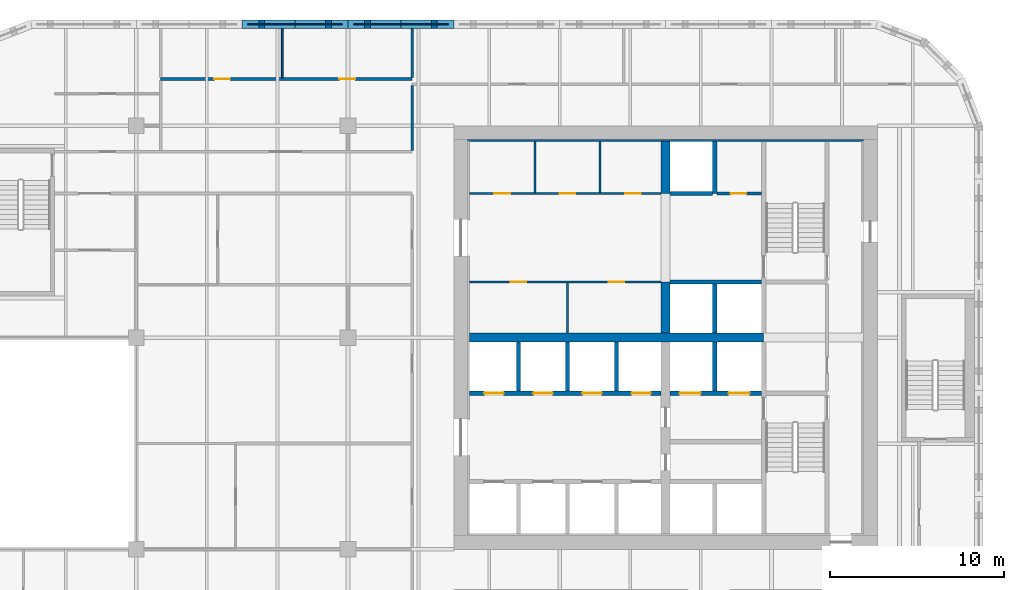
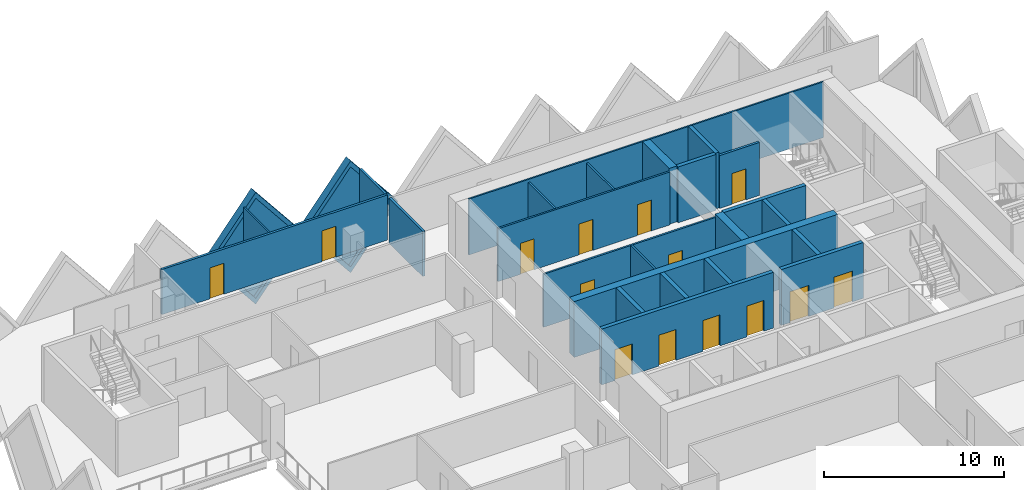
# One storey, part 9 of 19: 26 walls, 14 doors, 2 plates, 16 openings.
"""IFC4 building model written with IfcOpenShell, lengths in metres."""

from ifc_helpers import new_model, si_unit, direction, frame, frame_2d, origin, place, context, subcontext, project, spatial, polyline, rectangle, outline, extrude, faceted_brep, source, transform, mapped, material, layer, layer_set, type_object, element, fill, save


model = new_model("IFC4")

# Units and contexts
model_context = context("Model", 3, precision=1e-05, world=origin(), true_north=direction((0.0, 1.0)))
body_context = subcontext(model_context, "Body", "Model", "MODEL_VIEW")
ifc_project = project(units=[si_unit("LENGTHUNIT", "METRE"), si_unit("AREAUNIT", "SQUARE_METRE"), si_unit("VOLUMEUNIT", "CUBIC_METRE"), si_unit("PLANEANGLEUNIT", "RADIAN"), si_unit("MASSUNIT", "GRAM", prefix="KILO")], contexts=[model_context])

# Site, building, storey
site_placement = place(None, origin())
site = spatial("IfcSite", under=ifc_project, at=site_placement, CompositionType="ELEMENT")
building_placement = place(site_placement, origin())
building = spatial("IfcBuilding", under=site, at=building_placement, Name="Tessera Gate Towers", CompositionType="ELEMENT")
storey_placement = place(building_placement, frame((0.0, 0.0, 87.60009765625)))
storey = spatial("IfcBuildingStorey", under=building, at=storey_placement, Name="L21", CompositionType="ELEMENT", Elevation=87.60009765625)

# Wall, openings, doors
ifc_material_1 = material(Name="Concrete C40/50", Category="concrete")
ifc_layer_1 = layer(ifc_material_1, 0.25)
ifc_layer_set_1 = layer_set([ifc_layer_1], Name="CORE ENCLOSURE WALL 250")
wall_type_1 = type_object("IfcWallType", Name="CORE ENCLOSURE WALL 250", PredefinedType="SOLIDWALL", material=ifc_layer_set_1)
wall_1_placement = place(storey_placement, frame((42.449951171875, 33.39990234375, 0.0), z_axis=(0.0, 0.0, 1.0), x_axis=(-1.0, 0.0, 0.0)))
wall_1 = element("IfcWall", 1, at=wall_1_placement, inside=storey, type_object=wall_type_1, Name="L21 shaft and stair enclosure wall", PredefinedType="SOLIDWALL", context=body_context, shape_type="SweptSolid", body=[
    extrude(rectangle(XDim=11.050048828125, YDim=0.25, at=frame_2d((5.52490234375, 0.0))), origin(), (0.0, 0.0, 1.0), 3.7998046875),
])
shared_shape_1 = source(origin(), body_context, "Body", "SweptSolid", [
    extrude(rectangle(XDim=1.10009765625, YDim=2.10009765625, at=frame_2d((0.550048828125, 1.050048828125))), frame((0.0, 0.135009765625, 0.0), z_axis=(0.0, -1.0, 0.0), x_axis=(1.0, 0.0, 0.0)), (0.0, 0.0, 1.0), 0.27001953125),
])
opening_1_placement = place(wall_1_placement, frame((9.08740234375, 0.0, 0.0)))
opening_1 = element("IfcOpeningElement", 2, at=opening_1_placement, cuts=wall_1, Name="Opening LD-LR5", PredefinedType="OPENING", context=body_context, shape_type="MappedRepresentation", body=[
    mapped(shared_shape_1, transform((0.0, 0.0, 0.0), scale=1.0)),
])
opening_2_placement = place(wall_1_placement, frame((6.262451171875, 0.0, 0.0)))
opening_2 = element("IfcOpeningElement", 3, at=opening_2_placement, cuts=wall_1, Name="Opening LD-LR6", PredefinedType="OPENING", context=body_context, shape_type="MappedRepresentation", body=[
    mapped(shared_shape_1, transform((0.0, 0.0, 0.0), scale=1.0)),
])
opening_3_placement = place(wall_1_placement, frame((3.4375, 0.0, 0.0)))
opening_3 = element("IfcOpeningElement", 4, at=opening_3_placement, cuts=wall_1, Name="Opening LD-LR7", PredefinedType="OPENING", context=body_context, shape_type="MappedRepresentation", body=[
    mapped(shared_shape_1, transform((0.0, 0.0, 0.0), scale=1.0)),
])
opening_4_placement = place(wall_1_placement, frame((0.612548828125, 0.0, 0.0)))
opening_4 = element("IfcOpeningElement", 5, at=opening_4_placement, cuts=wall_1, Name="Opening LD-LR8", PredefinedType="OPENING", context=body_context, shape_type="MappedRepresentation", body=[
    mapped(shared_shape_1, transform((0.0, 0.0, 0.0), scale=1.0)),
])
ifc_material_2 = material(Name="Stainless steel", Category="steel")
door_type_1 = type_object("IfcDoorType", Name="CORE DOOR LD 1100x2100", OperationType="DOUBLE_DOOR_SLIDING", PredefinedType="DOOR", material=ifc_material_2)
shared_shape_2 = source(origin(), body_context, "Body", "SweptSolid", [
    extrude(rectangle(XDim=1.10009765625, YDim=2.10009765625, at=frame_2d((0.550048828125, 1.050048828125))), frame((0.0, 0.02490234375, 0.0), z_axis=(0.0, -1.0, 0.0), x_axis=(1.0, 0.0, 0.0)), (0.0, 0.0, 1.0), 0.050048828125),
])
door_1_placement = place(opening_1_placement, origin())
door_1 = element("IfcDoor", 6, at=door_1_placement, inside=storey, type_object=door_type_1, Name="Landing door LR5 L21", OperationType="DOUBLE_DOOR_SLIDING", OverallHeight=2.10009765625, OverallWidth=1.10009765625, PredefinedType="DOOR", context=body_context, shape_type="MappedRepresentation", body=[
    mapped(shared_shape_2, transform((0.0, 0.0, 0.0), scale=1.0)),
])
fill(opening_1, door_1)
door_2_placement = place(opening_2_placement, origin())
door_2 = element("IfcDoor", 7, at=door_2_placement, inside=storey, type_object=door_type_1, Name="Landing door LR6 L21", OperationType="DOUBLE_DOOR_SLIDING", OverallHeight=2.10009765625, OverallWidth=1.10009765625, PredefinedType="DOOR", context=body_context, shape_type="MappedRepresentation", body=[
    mapped(shared_shape_2, transform((0.0, 0.0, 0.0), scale=1.0)),
])
fill(opening_2, door_2)
door_3_placement = place(opening_3_placement, origin())
door_3 = element("IfcDoor", 8, at=door_3_placement, inside=storey, type_object=door_type_1, Name="Landing door LR7 L21", OperationType="DOUBLE_DOOR_SLIDING", OverallHeight=2.10009765625, OverallWidth=1.10009765625, PredefinedType="DOOR", context=body_context, shape_type="MappedRepresentation", body=[
    mapped(shared_shape_2, transform((0.0, 0.0, 0.0), scale=1.0)),
])
fill(opening_3, door_3)
door_4_placement = place(opening_4_placement, origin())
door_4 = element("IfcDoor", 9, at=door_4_placement, inside=storey, type_object=door_type_1, Name="Landing door LR8 L21", OperationType="DOUBLE_DOOR_SLIDING", OverallHeight=2.10009765625, OverallWidth=1.10009765625, PredefinedType="DOOR", context=body_context, shape_type="MappedRepresentation", body=[
    mapped(shared_shape_2, transform((0.0, 0.0, 0.0), scale=1.0)),
])
fill(opening_4, door_4)

wall_2_placement = place(storey_placement, frame((48.22509765625, 33.39990234375, 0.0), z_axis=(0.0, 0.0, 1.0), x_axis=(-1.0, 0.0, 0.0)))
wall_2 = element("IfcWall", 10, at=wall_2_placement, inside=storey, type_object=wall_type_1, Name="L21 shaft and stair enclosure wall", PredefinedType="SOLIDWALL", context=body_context, shape_type="SweptSolid", body=[
    extrude(rectangle(XDim=5.275146484375, YDim=0.25, at=frame_2d((2.6376953125, 0.0))), origin(), (0.0, 0.0, 1.0), 3.7998046875),
])
shared_shape_3 = source(origin(), body_context, "Body", "SweptSolid", [
    extrude(rectangle(XDim=1.199951171875, YDim=2.10009765625, at=frame_2d((0.60009765625, 1.050048828125))), frame((0.0, 0.135009765625, 0.0), z_axis=(0.0, -1.0, 0.0), x_axis=(1.0, 0.0, 0.0)), (0.0, 0.0, 1.0), 0.27001953125),
])
opening_5_placement = place(wall_2_placement, frame((3.512451171875, 0.0, 0.0)))
opening_5 = element("IfcOpeningElement", 11, at=opening_5_placement, cuts=wall_2, Name="Opening LD-FF1", PredefinedType="OPENING", context=body_context, shape_type="MappedRepresentation", body=[
    mapped(shared_shape_3, transform((0.0, 0.0, 0.0), scale=1.0)),
])
opening_6_placement = place(wall_2_placement, frame((0.6875, 0.0, 0.0)))
opening_6 = element("IfcOpeningElement", 12, at=opening_6_placement, cuts=wall_2, Name="Opening LD-FF2", PredefinedType="OPENING", context=body_context, shape_type="MappedRepresentation", body=[
    mapped(shared_shape_3, transform((0.0, 0.0, 0.0), scale=1.0)),
])
ifc_material_3 = material(Name="Stainless steel", Category="steel")
door_type_2 = type_object("IfcDoorType", Name="CORE DOOR LD1200 1200x2100", OperationType="DOUBLE_DOOR_SLIDING", PredefinedType="DOOR", material=ifc_material_3)
shared_shape_4 = source(origin(), body_context, "Body", "SweptSolid", [
    extrude(rectangle(XDim=1.199951171875, YDim=2.10009765625, at=frame_2d((0.60009765625, 1.050048828125))), frame((0.0, 0.02490234375, 0.0), z_axis=(0.0, -1.0, 0.0), x_axis=(1.0, 0.0, 0.0)), (0.0, 0.0, 1.0), 0.050048828125),
])
door_5_placement = place(opening_5_placement, origin())
door_5 = element("IfcDoor", 13, at=door_5_placement, inside=storey, type_object=door_type_2, Name="Landing door FF1 L21", OperationType="DOUBLE_DOOR_SLIDING", OverallHeight=2.10009765625, OverallWidth=1.199951171875, PredefinedType="DOOR", context=body_context, shape_type="MappedRepresentation", body=[
    mapped(shared_shape_4, transform((0.0, 0.0, 0.0), scale=1.0)),
])
fill(opening_5, door_5)
door_6_placement = place(opening_6_placement, origin())
door_6 = element("IfcDoor", 14, at=door_6_placement, inside=storey, type_object=door_type_2, Name="Landing door FF2 L21", OperationType="DOUBLE_DOOR_SLIDING", OverallHeight=2.10009765625, OverallWidth=1.199951171875, PredefinedType="DOOR", context=body_context, shape_type="MappedRepresentation", body=[
    mapped(shared_shape_4, transform((0.0, 0.0, 0.0), scale=1.0)),
])
fill(opening_6, door_6)

# Walls
wall_3_placement = place(storey_placement, frame((42.949951171875, 39.800048828125, 0.0), z_axis=(0.0, 0.0, 1.0), x_axis=(1.0, 0.0, 0.0)))
element("IfcWall", 15, at=wall_3_placement, inside=storey, type_object=wall_type_1, Name="L21 shaft and stair enclosure wall", PredefinedType="SOLIDWALL", context=body_context, shape_type="SweptSolid", body=[
    extrude(rectangle(XDim=5.275146484375, YDim=0.25, at=frame_2d((2.6376953125, 0.0))), origin(), (0.0, 0.0, 1.0), 3.7998046875),
])
wall_4_placement = place(storey_placement, frame((45.52490234375, 33.52490234375, 0.0), z_axis=(0.0, 0.0, 1.0), x_axis=(0.0, 1.0, 0.0)))
element("IfcWall", 16, at=wall_4_placement, inside=storey, type_object=wall_type_1, Name="L21 shaft and stair enclosure wall", PredefinedType="SOLIDWALL", context=body_context, shape_type="SweptSolid", body=[
    extrude(rectangle(XDim=2.8251953125, YDim=0.25, at=frame_2d((1.41259765625, 0.0))), origin(), (0.0, 0.0, 1.0), 3.7998046875),
])
wall_5_placement = place(storey_placement, frame((45.52490234375, 36.85009765625, 0.0), z_axis=(0.0, 0.0, 1.0), x_axis=(0.0, 1.0, 0.0)))
element("IfcWall", 17, at=wall_5_placement, inside=storey, type_object=wall_type_1, Name="L21 shaft and stair enclosure wall", PredefinedType="SOLIDWALL", context=body_context, shape_type="SweptSolid", body=[
    extrude(rectangle(XDim=2.824951171875, YDim=0.25, at=frame_2d((1.41259765625, 0.0))), origin(), (0.0, 0.0, 1.0), 3.7998046875),
])
for number, where, z_axis, x_axis, name in (
    (18, (34.22509765625, 33.52490234375, 0.0), (0.0, 0.0, 1.0), (0.0, 1.0, 0.0), "L21 shaft and stair enclosure wall"),
    (19, (37.050048828125, 33.52490234375, 0.0), (0.0, 0.0, 1.0), (0.0, 1.0, 0.0), "L21 shaft and stair enclosure wall"),
    (20, (39.875, 33.52490234375, 0.0), (0.0, 0.0, 1.0), (0.0, 1.0, 0.0), "L21 shaft and stair enclosure wall"),
):
    element("IfcWall", number, at=place(storey_placement, frame(where, z_axis=z_axis, x_axis=x_axis)), inside=storey, type_object=wall_type_1, Name=name, PredefinedType="SOLIDWALL", context=body_context, shape_type="SweptSolid", body=[
        extrude(rectangle(XDim=2.8251953125, YDim=0.25, at=frame_2d((1.41259765625, 0.0))), origin(), (0.0, 0.0, 1.0), 3.7998046875),
    ])
wall_6_placement = place(storey_placement, frame((45.52490234375, 44.89990234375, 0.0), z_axis=(0.0, 0.0, 1.0), x_axis=(0.0, 1.0, 0.0)))
element("IfcWall", 21, at=wall_6_placement, inside=storey, type_object=wall_type_1, Name="L21 shaft and stair enclosure wall", PredefinedType="SOLIDWALL", context=body_context, shape_type="SweptSolid", body=[
    extrude(rectangle(XDim=3.0, YDim=0.25, at=frame_2d((1.5, 0.0))), origin(), (0.0, 0.0, 1.0), 3.7998046875),
])
wall_7_placement = place(storey_placement, frame((42.949951171875, 44.89990234375, 0.0), z_axis=(0.0, 0.0, 1.0), x_axis=(1.0, 0.0, 0.0)))
element("IfcWall", 22, at=wall_7_placement, inside=storey, type_object=wall_type_1, Name="L21 shaft and stair enclosure wall", PredefinedType="SOLIDWALL", context=body_context, shape_type="SweptSolid", body=[
    extrude(rectangle(XDim=2.449951171875, YDim=0.25, at=frame_2d((1.22509765625, 0.0))), origin(), (0.0, 0.0, 1.0), 3.7998046875),
])

# Wall, openings, doors
ifc_material_4 = material(Name="Gypsum board on steel studs", Category="steel")
ifc_layer_2 = layer(ifc_material_4, 0.1201171875)
ifc_layer_set_2 = layer_set([ifc_layer_2], Name="CORE PARTITION 120")
wall_type_2 = type_object("IfcWallType", Name="CORE PARTITION 120", PredefinedType="PARTITIONING", material=ifc_layer_set_2)
wall_8_placement = place(storey_placement, frame((42.449951171875, 39.800048828125, 0.0), z_axis=(0.0, 0.0, 1.0), x_axis=(-1.0, 0.0, 0.0)))
wall_8 = element("IfcWall", 23, at=wall_8_placement, inside=storey, type_object=wall_type_2, Name="L21 core partition", PredefinedType="PARTITIONING", context=body_context, shape_type="SweptSolid", body=[
    extrude(rectangle(XDim=11.050048828125, YDim=0.1201171875, at=frame_2d((5.52490234375, 0.0))), origin(), (0.0, 0.0, 1.0), 3.599853515625),
])
shared_shape_5 = source(origin(), body_context, "Body", "SweptSolid", [
    extrude(rectangle(XDim=0.89990234375, YDim=2.10009765625, at=frame_2d((0.449951171875, 1.050048828125))), frame((0.0, 0.070068359375, 0.0), z_axis=(0.0, -1.0, 0.0), x_axis=(1.0, 0.0, 0.0)), (0.0, 0.0, 1.0), 0.14013671875),
])
opening_7_placement = place(wall_8_placement, frame((7.77490234375, 0.0, 0.0)))
opening_7 = element("IfcOpeningElement", 24, at=opening_7_placement, cuts=wall_8, Name="Opening RD-T1-14-07", PredefinedType="OPENING", context=body_context, shape_type="MappedRepresentation", body=[
    mapped(shared_shape_5, transform((0.0, 0.0, 0.0), scale=1.0)),
])
opening_8_placement = place(wall_8_placement, frame((2.125, 0.0, 0.0)))
opening_8 = element("IfcOpeningElement", 25, at=opening_8_placement, cuts=wall_8, Name="Opening RD-T1-14-08", PredefinedType="OPENING", context=body_context, shape_type="MappedRepresentation", body=[
    mapped(shared_shape_5, transform((0.0, 0.0, 0.0), scale=1.0)),
])
ifc_material_5 = material(Name="Hollow steel fire door", Category="steel")
door_type_3 = type_object("IfcDoorType", Name="CORE DOOR RD 900x2100", OperationType="NOTDEFINED", PredefinedType="DOOR", material=ifc_material_5)
shared_shape_6 = source(origin(), body_context, "Body", "SweptSolid", [
    extrude(rectangle(XDim=0.89990234375, YDim=2.10009765625, at=frame_2d((0.449951171875, 1.050048828125))), frame((0.0, 0.02490234375, 0.0), z_axis=(0.0, -1.0, 0.0), x_axis=(1.0, 0.0, 0.0)), (0.0, 0.0, 1.0), 0.050048828125),
])
door_7_placement = place(opening_7_placement, origin())
door_7 = element("IfcDoor", 26, at=door_7_placement, inside=storey, type_object=door_type_3, Name="Core room door", OperationType="SINGLE_SWING_RIGHT", OverallHeight=2.10009765625, OverallWidth=0.89990234375, PredefinedType="DOOR", context=body_context, shape_type="MappedRepresentation", body=[
    mapped(shared_shape_6, transform((0.0, 0.0, 0.0), scale=1.0)),
])
fill(opening_7, door_7)
door_8_placement = place(opening_8_placement, origin())
door_8 = element("IfcDoor", 27, at=door_8_placement, inside=storey, type_object=door_type_3, Name="Core room door", OperationType="SINGLE_SWING_LEFT", OverallHeight=2.10009765625, OverallWidth=0.89990234375, PredefinedType="DOOR", context=body_context, shape_type="MappedRepresentation", body=[
    mapped(shared_shape_6, transform((0.0, 0.0, 0.0), scale=1.0)),
])
fill(opening_8, door_8)

wall_9_placement = place(storey_placement, frame((31.39990234375, 44.89990234375, 0.0), z_axis=(0.0, 0.0, 1.0), x_axis=(1.0, 0.0, 0.0)))
wall_9 = element("IfcWall", 28, at=wall_9_placement, inside=storey, type_object=wall_type_2, Name="L21 core partition", PredefinedType="PARTITIONING", context=body_context, shape_type="SweptSolid", body=[
    extrude(rectangle(XDim=11.050048828125, YDim=0.1201171875, at=frame_2d((5.52490234375, 0.0))), origin(), (0.0, 0.0, 1.0), 3.599853515625),
])
opening_9_placement = place(wall_9_placement, frame((1.4375, 0.0, 0.0)))
opening_9 = element("IfcOpeningElement", 29, at=opening_9_placement, cuts=wall_9, Name="Opening RD-T1-14-09", PredefinedType="OPENING", context=body_context, shape_type="MappedRepresentation", body=[
    mapped(shared_shape_5, transform((0.0, 0.0, 0.0), scale=1.0)),
])
opening_10_placement = place(wall_9_placement, frame((5.199951171875, 0.0, 0.0)))
opening_10 = element("IfcOpeningElement", 30, at=opening_10_placement, cuts=wall_9, Name="Opening RD-T1-14-10", PredefinedType="OPENING", context=body_context, shape_type="MappedRepresentation", body=[
    mapped(shared_shape_5, transform((0.0, 0.0, 0.0), scale=1.0)),
])
opening_11_placement = place(wall_9_placement, frame((8.96240234375, 0.0, 0.0)))
opening_11 = element("IfcOpeningElement", 31, at=opening_11_placement, cuts=wall_9, Name="Opening RD-T1-14-11", PredefinedType="OPENING", context=body_context, shape_type="MappedRepresentation", body=[
    mapped(shared_shape_5, transform((0.0, 0.0, 0.0), scale=1.0)),
])
door_9_placement = place(opening_9_placement, origin())
door_9 = element("IfcDoor", 32, at=door_9_placement, inside=storey, type_object=door_type_3, Name="Core room door", OperationType="SINGLE_SWING_LEFT", OverallHeight=2.10009765625, OverallWidth=0.89990234375, PredefinedType="DOOR", context=body_context, shape_type="MappedRepresentation", body=[
    mapped(shared_shape_6, transform((0.0, 0.0, 0.0), scale=1.0)),
])
fill(opening_9, door_9)
door_10_placement = place(opening_10_placement, origin())
door_10 = element("IfcDoor", 33, at=door_10_placement, inside=storey, type_object=door_type_3, Name="Core room door", OperationType="SINGLE_SWING_RIGHT", OverallHeight=2.10009765625, OverallWidth=0.89990234375, PredefinedType="DOOR", context=body_context, shape_type="MappedRepresentation", body=[
    mapped(shared_shape_6, transform((0.0, 0.0, 0.0), scale=1.0)),
])
fill(opening_10, door_10)
door_11_placement = place(opening_11_placement, origin())
door_11 = element("IfcDoor", 34, at=door_11_placement, inside=storey, type_object=door_type_3, Name="Core room door", OperationType="SINGLE_SWING_RIGHT", OverallHeight=2.10009765625, OverallWidth=0.89990234375, PredefinedType="DOOR", context=body_context, shape_type="MappedRepresentation", body=[
    mapped(shared_shape_6, transform((0.0, 0.0, 0.0), scale=1.0)),
])
fill(opening_11, door_11)

# Walls
wall_10_placement = place(storey_placement, frame((37.050048828125, 36.85009765625, 0.0), z_axis=(0.0, 0.0, 1.0), x_axis=(0.0, 1.0, 0.0)))
element("IfcWall", 35, at=wall_10_placement, inside=storey, type_object=wall_type_2, Name="L21 core partition", PredefinedType="PARTITIONING", context=body_context, shape_type="SweptSolid", body=[
    extrude(rectangle(XDim=2.889892578125, YDim=0.1201171875, at=frame_2d((1.44482421875, 0.0))), origin(), (0.0, 0.0, 1.0), 3.599853515625),
])
for number, where, z_axis, x_axis, name in (
    (36, (35.175048828125, 44.9599609375, 0.0), (0.0, 0.0, 1.0), (0.0, 1.0, 0.0), "L21 core partition"),
    (37, (38.925048828125, 44.9599609375, 0.0), (0.0, 0.0, 1.0), (0.0, 1.0, 0.0), "L21 core partition"),
):
    element("IfcWall", number, at=place(storey_placement, frame(where, z_axis=z_axis, x_axis=x_axis)), inside=storey, type_object=wall_type_2, Name=name, PredefinedType="PARTITIONING", context=body_context, shape_type="SweptSolid", body=[
        extrude(rectangle(XDim=2.93994140625, YDim=0.1201171875, at=frame_2d((1.469970703125, 0.0))), origin(), (0.0, 0.0, 1.0), 3.599853515625),
    ])
ifc_material_6 = material(Name="Concrete C60/75", Category="concrete")
ifc_layer_3 = layer(ifc_material_6, 0.5)
ifc_layer_set_3 = layer_set([ifc_layer_3], Name="CORE SPINE WALL 500 C60/75")
wall_type_3 = type_object("IfcWallType", Name="CORE SPINE WALL 500 C60/75", PredefinedType="SHEAR", material=ifc_layer_set_3)
wall_11_placement = place(storey_placement, frame((31.39990234375, 36.60009765625, 0.0), z_axis=(0.0, 0.0, 1.0), x_axis=(1.0, 0.0, 0.0)))
element("IfcWall", 38, at=wall_11_placement, inside=storey, type_object=wall_type_3, Name="Core wall spine L21", PredefinedType="SHEAR", context=body_context, shape_type="SweptSolid", body=[
    extrude(rectangle(XDim=16.9501953125, YDim=0.5, at=frame_2d((8.47509765625, 0.0))), origin(), (0.0, 0.0, 1.0), 3.7998046875),
])
wall_12_placement = place(storey_placement, frame((42.699951171875, 36.85009765625, 0.0), z_axis=(0.0, 0.0, 1.0), x_axis=(0.0, 1.0, 0.0)))
element("IfcWall", 39, at=wall_12_placement, inside=storey, type_object=wall_type_3, Name="Core wall spine L21", PredefinedType="SHEAR", context=body_context, shape_type="SweptSolid", body=[
    extrude(rectangle(XDim=2.949951171875, YDim=0.5, at=frame_2d((1.47509765625, 0.0))), origin(), (0.0, 0.0, 1.0), 3.7998046875),
])
wall_13_placement = place(storey_placement, frame((42.699951171875, 44.89990234375, 0.0), z_axis=(0.0, 0.0, 1.0), x_axis=(0.0, 1.0, 0.0)))
element("IfcWall", 40, at=wall_13_placement, inside=storey, type_object=wall_type_3, Name="Core wall spine L21", PredefinedType="SHEAR", context=body_context, shape_type="SweptSolid", body=[
    extrude(rectangle(XDim=3.0, YDim=0.5, at=frame_2d((1.5, 0.0))), origin(), (0.0, 0.0, 1.0), 3.7998046875),
])
ifc_material_7 = material(Name="Concrete C60/75", Category="concrete")
ifc_layer_4 = layer(ifc_material_7, 0.10009765625)
ifc_layer_set_4 = layer_set([ifc_layer_4], Name="CORE WALL THICKENING 100")
wall_type_4 = type_object("IfcWallType", Name="CORE WALL THICKENING 100", PredefinedType="SOLIDWALL", material=ifc_layer_set_4)
wall_14_placement = place(storey_placement, frame((31.300048828125, 47.949951171875, 0.0), z_axis=(0.0, 0.0, 1.0), x_axis=(1.0, 0.0, 0.0)))
element("IfcWall", 41, at=wall_14_placement, inside=storey, type_object=wall_type_4, Name="Core wall thickening N L21", PredefinedType="SOLIDWALL", context=body_context, shape_type="SweptSolid", body=[
    extrude(rectangle(XDim=22.800048828125, YDim=0.10009765625, at=frame_2d((11.39990234375, 0.0))), origin(), (0.0, 0.0, 1.0), 3.7998046875),
])
ifc_material_8 = material(Name="Gypsum board on steel studs, mineral wool", Category="steel")
ifc_layer_5 = layer(ifc_material_8, 0.14990234375)
ifc_layer_set_5 = layer_set([ifc_layer_5], Name="CORRIDOR WALL 150")
wall_type_5 = type_object("IfcWallType", Name="CORRIDOR WALL 150", PredefinedType="PARTITIONING", material=ifc_layer_set_5)
wall_15_placement = place(storey_placement, frame((28.10009765625, 47.3759765625, 0.0), z_axis=(0.0, 0.0, 1.0), x_axis=(0.0, 1.0, 0.0)))
element("IfcWall", 42, at=wall_15_placement, inside=storey, type_object=wall_type_5, Name="T1-L21-PW-042", PredefinedType="PARTITIONING", context=body_context, shape_type="SweptSolid", body=[
    extrude(rectangle(XDim=3.748046875, YDim=0.14990234375, at=frame_2d((1.8740234375, 0.0))), origin(), (0.0, 0.0, 1.0), 3.06689453125),
])
ifc_material_9 = material(Name="Gypsum board on steel studs", Category="steel")
ifc_layer_6 = layer(ifc_material_9, 0.10009765625)
ifc_layer_set_6 = layer_set([ifc_layer_6], Name="PARTITION 100")
wall_type_6 = type_object("IfcWallType", Name="PARTITION 100", PredefinedType="PARTITIONING", material=ifc_layer_set_6)
wall_16_placement = place(storey_placement, frame((20.60498046875, 51.575927734375, 0.0), z_axis=(0.0, 0.0, 1.0), x_axis=(0.0, 1.0, 0.0)))
element("IfcWall", 43, at=wall_16_placement, inside=storey, type_object=wall_type_6, Name="T1-L21-PW-051", PredefinedType="PARTITIONING", context=body_context, shape_type="SweptSolid", body=[
    extrude(rectangle(XDim=2.823974609375, YDim=0.10009765625, at=frame_2d((1.412109375, 0.0))), origin(), (0.0, 0.0, 1.0), 3.06689453125),
])

# Wall, opening, door
ifc_material_10 = material(Name="Gypsum board on steel studs", Category="steel")
ifc_layer_7 = layer(ifc_material_10, 0.14990234375)
ifc_layer_set_7 = layer_set([ifc_layer_7], Name="SERVICE ROOM WALL 150")
wall_type_7 = type_object("IfcWallType", Name="SERVICE ROOM WALL 150", PredefinedType="PARTITIONING", material=ifc_layer_set_7)
wall_17_placement = place(storey_placement, frame((45.64990234375, 44.89990234375, 0.0), z_axis=(0.0, 0.0, 1.0), x_axis=(1.0, 0.0, 0.0)))
wall_17 = element("IfcWall", 44, at=wall_17_placement, inside=storey, type_object=wall_type_7, Name="L21 service room wall", PredefinedType="PARTITIONING", context=body_context, shape_type="SweptSolid", body=[
    extrude(rectangle(XDim=2.5751953125, YDim=0.14990234375, at=frame_2d((1.28759765625, 0.0))), origin(), (0.0, 0.0, 1.0), 3.599853515625),
])
shared_shape_7 = source(origin(), body_context, "Body", "SweptSolid", [
    extrude(rectangle(XDim=0.89990234375, YDim=2.10009765625, at=frame_2d((0.449951171875, 1.050048828125))), frame((0.0, 0.0849609375, 0.0), z_axis=(0.0, -1.0, 0.0), x_axis=(1.0, 0.0, 0.0)), (0.0, 0.0, 1.0), 0.169921875),
])
opening_12_placement = place(wall_17_placement, frame((0.800048828125, 0.0, 0.0)))
opening_12 = element("IfcOpeningElement", 45, at=opening_12_placement, cuts=wall_17, Name="Opening RD-T1-14-13", PredefinedType="OPENING", context=body_context, shape_type="MappedRepresentation", body=[
    mapped(shared_shape_7, transform((0.0, 0.0, 0.0), scale=1.0)),
])
door_12_placement = place(opening_12_placement, origin())
door_12 = element("IfcDoor", 46, at=door_12_placement, inside=storey, type_object=door_type_3, Name="Core room door", OperationType="SINGLE_SWING_LEFT", OverallHeight=2.10009765625, OverallWidth=0.89990234375, PredefinedType="DOOR", context=body_context, shape_type="MappedRepresentation", body=[
    mapped(shared_shape_6, transform((0.0, 0.0, 0.0), scale=1.0)),
])
fill(opening_12, door_12)

# Wall, openings, doors
ifc_material_11 = material(Name="Gypsum board on steel studs, mineral wool", Category="steel")
ifc_layer_8 = layer(ifc_material_11, 0.14990234375)
ifc_layer_set_8 = layer_set([ifc_layer_8], Name="TENANCY WALL 150")
wall_type_8 = type_object("IfcWallType", Name="TENANCY WALL 150", PredefinedType="PARTITIONING", material=ifc_layer_set_8)
wall_18_placement = place(storey_placement, frame((13.60009765625, 51.5, 0.0), z_axis=(0.0, 0.0, 1.0), x_axis=(1.0, 0.0, 0.0)))
wall_18 = element("IfcWall", 47, at=wall_18_placement, inside=storey, type_object=wall_type_8, Name="T1-L21-PW-049", PredefinedType="PARTITIONING", context=body_context, shape_type="SweptSolid", body=[
    extrude(rectangle(XDim=14.5, YDim=0.14990234375, at=frame_2d((7.25, 0.0))), origin(), (0.0, 0.0, 1.0), 3.06689453125),
])
opening_13_placement = place(wall_18_placement, frame((3.10009765625, 0.0, 0.0)))
opening_13 = element("IfcOpeningElement", 48, at=opening_13_placement, cuts=wall_18, Name="Opening D190-A07-01", PredefinedType="OPENING", context=body_context, shape_type="MappedRepresentation", body=[
    mapped(shared_shape_7, transform((0.0, 0.0, 0.0), scale=1.0)),
])
opening_14_placement = place(wall_18_placement, frame((10.3046875, 0.0, 0.0)))
opening_14 = element("IfcOpeningElement", 49, at=opening_14_placement, cuts=wall_18, Name="Opening D190-A07-02", PredefinedType="OPENING", context=body_context, shape_type="MappedRepresentation", body=[
    mapped(shared_shape_7, transform((0.0, 0.0, 0.0), scale=1.0)),
])
ifc_material_12 = material(Name="Timber door leaf in steel frame", Category="steel")
door_type_4 = type_object("IfcDoorType", Name="INTERNAL DOOR 900 NOT RATED", OperationType="NOTDEFINED", PredefinedType="DOOR", material=ifc_material_12)
door_13_placement = place(opening_13_placement, origin())
door_13 = element("IfcDoor", 50, at=door_13_placement, inside=storey, type_object=door_type_4, Name="T1-L21-PD-013", OperationType="SINGLE_SWING_LEFT", OverallHeight=2.10009765625, OverallWidth=0.89990234375, PredefinedType="DOOR", context=body_context, shape_type="MappedRepresentation", body=[
    mapped(shared_shape_6, transform((0.0, 0.0, 0.0), scale=1.0)),
])
fill(opening_13, door_13)
door_14_placement = place(opening_14_placement, origin())
door_14 = element("IfcDoor", 51, at=door_14_placement, inside=storey, type_object=door_type_4, Name="T1-L21-PD-015", OperationType="SINGLE_SWING_LEFT", OverallHeight=2.10009765625, OverallWidth=0.89990234375, PredefinedType="DOOR", context=body_context, shape_type="MappedRepresentation", body=[
    mapped(shared_shape_6, transform((0.0, 0.0, 0.0), scale=1.0)),
])
fill(opening_14, door_14)

# Wall
wall_19_placement = place(storey_placement, frame((28.10009765625, 51.575927734375, 0.0), z_axis=(0.0, 0.0, 1.0), x_axis=(0.0, 1.0, 0.0)))
element("IfcWall", 52, at=wall_19_placement, inside=storey, type_object=wall_type_8, Name="T1-L21-PW-052", PredefinedType="PARTITIONING", context=body_context, shape_type="SweptSolid", body=[
    extrude(rectangle(XDim=2.823974609375, YDim=0.14990234375, at=frame_2d((1.412109375, 0.0))), origin(), (0.0, 0.0, 1.0), 3.06689453125),
])

# Wall, opening, plate
ifc_material_13 = material(Name="Precast concrete C60/75 white", Category="concrete")
ifc_layer_9 = layer(ifc_material_13, 0.5)
ifc_layer_set_9 = layer_set([ifc_layer_9], Name="TS1 tessera")
wall_type_9 = type_object("IfcWallType", Name="TS1 tessera", PredefinedType="SOLIDWALL", material=ifc_layer_set_9)
shared_shape_8 = source(origin(), body_context, "Body", "Brep", [
    faceted_brep([(3.050048828125, -0.25, 0.0), (6.099853515625, -0.25, 3.7998046875), (6.099853515625, -0.25, 3.80029296875), (3.050048828125, -0.25, 7.599853515625), (0.0, -0.25, 3.800048828125), (0.0, 0.25, 3.800048828125), (3.050048828125, 0.25, 7.599853515625), (6.099853515625, 0.25, 3.80029296875), (6.099853515625, 0.25, 3.7998046875), (3.050048828125, 0.25, 0.0)], [[[0, 1, 2, 3, 4]], [[5, 6, 7, 8, 9]], [[9, 8, 1, 0]], [[7, 6, 3, 2]], [[6, 5, 4, 3]], [[5, 9, 0, 4]], [[1, 8, 7, 2]]]),
])
wall_20_placement = place(storey_placement, frame((24.39990234375, 54.64990234375, -3.800048828125), z_axis=(0.0, 0.0, 1.0), x_axis=(-1.0, 0.0, 0.0)))
wall_20 = element("IfcWall", 53, at=wall_20_placement, inside=storey, type_object=wall_type_9, Name="Precast tessera T1 TS1-0337", PredefinedType="SOLIDWALL", context=body_context, shape_type="MappedRepresentation", body=[
    mapped(shared_shape_8, transform((0.0, 0.0, 0.0), scale=1.0)),
])
shared_shape_9 = source(origin(), body_context, "Body", "SweptSolid", [
    extrude(outline(polyline([(3.050048828125, 0.3994140625), (5.779541015625, 3.800048828125), (3.050048828125, 7.200439453125), (0.320556640625, 3.800048828125), (3.050048828125, 0.3994140625)])), frame((0.0, 0.260009765625, 0.0), z_axis=(0.0, -1.0, 0.0), x_axis=(1.0, 0.0, 0.0)), (0.0, 0.0, 1.0), 0.52001953125),
])
opening_15_placement = place(wall_20_placement, origin())
opening_15 = element("IfcOpeningElement", 54, at=opening_15_placement, cuts=wall_20, Name="Opening T1-PL2-0681", PredefinedType="OPENING", context=body_context, shape_type="MappedRepresentation", body=[
    mapped(shared_shape_9, transform((0.0, 0.0, 0.0), scale=1.0)),
])
ifc_material_14 = material(Name="Low-e laminated glass", Category="glass")
ifc_layer_10 = layer(ifc_material_14, 0.06005859375)
ifc_layer_set_10 = layer_set([ifc_layer_10], Name="PL2 rhombic pane")
plate_type = type_object("IfcPlateType", Name="PL2 rhombic pane", PredefinedType="SHEET", material=ifc_layer_set_10)
shared_shape_10 = source(origin(), body_context, "Body", "SweptSolid", [
    extrude(outline(polyline([(3.050048828125, 0.3994140625), (5.779541015625, 3.800048828125), (3.050048828125, 7.200439453125), (0.320556640625, 3.800048828125), (3.050048828125, 0.3994140625)])), frame((0.0, 0.030029296875, 0.0), z_axis=(0.0, -1.0, 0.0), x_axis=(1.0, 0.0, 0.0)), (0.0, 0.0, 1.0), 0.06005859375),
])
plate_1_placement = place(opening_15_placement, origin())
plate_1 = element("IfcPlate", 55, at=plate_1_placement, inside=storey, type_object=plate_type, Name="Glass pane T1 PL2-0681", PredefinedType="SHEET", context=body_context, shape_type="MappedRepresentation", body=[
    mapped(shared_shape_10, transform((0.0, 0.0, 0.0), scale=1.0)),
])
fill(opening_15, plate_1)

shared_shape_11 = source(origin(), body_context, "Body", "SweptSolid", [
    extrude(outline(polyline([(3.050048828125, 0.0), (6.10009765625, 3.800048828125), (3.050048828125, 7.599853515625), (0.0, 3.800048828125), (3.050048828125, 0.0)])), frame((0.0, 0.25, 0.0), z_axis=(0.0, -1.0, 0.0), x_axis=(1.0, 0.0, 0.0)), (0.0, 0.0, 1.0), 0.5),
])
wall_21_placement = place(storey_placement, frame((30.5, 54.64990234375, -3.800048828125), z_axis=(0.0, 0.0, 1.0), x_axis=(-1.0, 0.0, 0.0)))
wall_21 = element("IfcWall", 56, at=wall_21_placement, inside=storey, type_object=wall_type_9, Name="Precast tessera T1 TS1-0336", PredefinedType="SOLIDWALL", context=body_context, shape_type="MappedRepresentation", body=[
    mapped(shared_shape_11, transform((0.0, 0.0, 0.0), scale=1.0)),
])
opening_16_placement = place(wall_21_placement, origin())
opening_16 = element("IfcOpeningElement", 57, at=opening_16_placement, cuts=wall_21, Name="Opening T1-PL2-0680", PredefinedType="OPENING", context=body_context, shape_type="MappedRepresentation", body=[
    mapped(shared_shape_9, transform((0.0, 0.0, 0.0), scale=1.0)),
])
plate_2_placement = place(opening_16_placement, origin())
plate_2 = element("IfcPlate", 58, at=plate_2_placement, inside=storey, type_object=plate_type, Name="Glass pane T1 PL2-0680", PredefinedType="SHEET", context=body_context, shape_type="MappedRepresentation", body=[
    mapped(shared_shape_10, transform((0.0, 0.0, 0.0), scale=1.0)),
])
fill(opening_16, plate_2)

save(model, "model.ifc")
